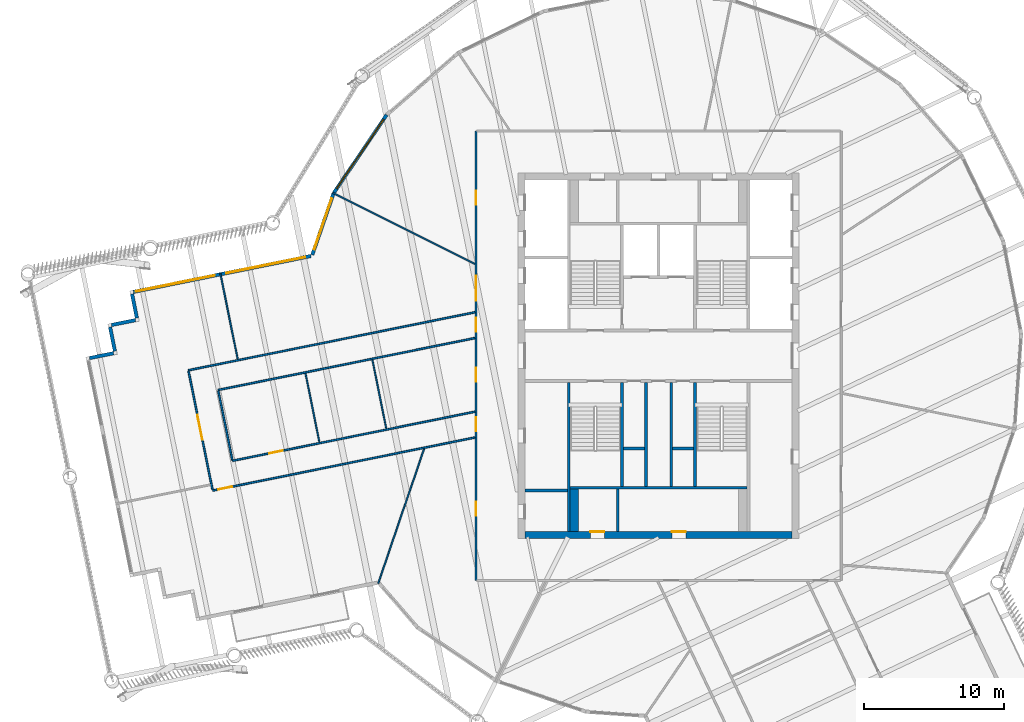
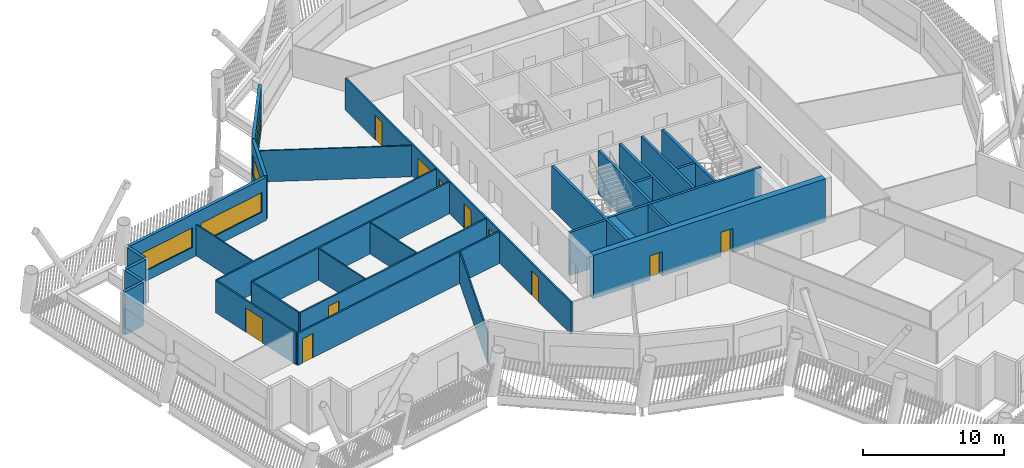
# One storey, part 4 of 21: 31 walls, 11 doors, 4 windows, 15 openings.
"""IFC4 building model written with IfcOpenShell, lengths in metres."""

from ifc_helpers import new_model, si_unit, direction, frame, frame_2d, origin, place, context, subcontext, project, spatial, rectangle, extrude, material, layer, layer_set, type_object, element, fill, save


model = new_model("IFC4")

# Units and contexts
model_context = context("Model", 3, precision=1e-05, world=origin(), true_north=direction((0.0, 1.0)))
body_context = subcontext(model_context, "Body", "Model", "MODEL_VIEW")
ifc_project = project(units=[si_unit("LENGTHUNIT", "METRE"), si_unit("AREAUNIT", "SQUARE_METRE"), si_unit("VOLUMEUNIT", "CUBIC_METRE"), si_unit("PLANEANGLEUNIT", "RADIAN"), si_unit("MASSUNIT", "GRAM", prefix="KILO")], contexts=[model_context])

# Site, building, storey
site_placement = place(None, origin())
site = spatial("IfcSite", under=ifc_project, at=site_placement, CompositionType="ELEMENT")
building_placement = place(site_placement, origin())
building = spatial("IfcBuilding", under=site, at=building_placement, Name="Tarsis Ring Headquarters", CompositionType="ELEMENT")
storey_placement = place(building_placement, frame((0.0, 0.0, 331.39990234375)))
storey = spatial("IfcBuildingStorey", under=building, at=storey_placement, Name="L78", CompositionType="ELEMENT", Elevation=331.39990234375)

# Walls
ifc_material_1 = material(Name="Blockwork", Category="masonry")
ifc_layer_1 = layer(ifc_material_1, 0.199951171875)
ifc_layer_set_1 = layer_set([ifc_layer_1], Name="Core blockwork wall 200")
wall_type_1 = type_object("IfcWallType", Name="Core blockwork wall 200", PredefinedType="PARTITIONING", material=ifc_layer_set_1)
for number, where, z_axis, x_axis, name in (
    (1, (-9.5, -9.60009765625, 0.0), (0.0, 0.0, 1.0), (1.0, 0.0, 0.0), "Core partition WD1"),
    (2, (-2.89990234375, -12.5, 0.0), (0.0, 0.0, 1.0), (0.0, 1.0, 0.0), "Core partition SD1"),
):
    element("IfcWall", number, at=place(storey_placement, frame(where, z_axis=z_axis, x_axis=x_axis)), inside=storey, type_object=wall_type_1, Name=name, PredefinedType="PARTITIONING", context=body_context, shape_type="SweptSolid", body=[
        extrude(rectangle(XDim=3.0, YDim=0.199951171875, at=frame_2d((1.5, 0.0))), origin(), (0.0, 0.0, 1.0), 3.739990234375),
    ])
for number, where, z_axis, x_axis, name in (
    (3, (-2.5, -6.60009765625, 0.0), (0.0, 0.0, 1.0), (1.0, 0.0, 0.0), "Core partition SP1"),
    (4, (1.0, -6.60009765625, 0.0), (0.0, 0.0, 1.0), (1.0, 0.0, 0.0), "Core partition SP3"),
):
    element("IfcWall", number, at=place(storey_placement, frame(where, z_axis=z_axis, x_axis=x_axis)), inside=storey, type_object=wall_type_1, Name=name, PredefinedType="PARTITIONING", context=body_context, shape_type="SweptSolid", body=[
        extrude(rectangle(XDim=1.5, YDim=0.199951171875, at=frame_2d((0.75, 0.0))), origin(), (0.0, 0.0, 1.0), 3.739990234375),
    ])
for number, where, z_axis, x_axis, name in (
    (5, (-0.89990234375, -9.300048828125, 0.0), (0.0, 0.0, 1.0), (0.0, 1.0, 0.0), "Core partition SV1"),
    (6, (0.89990234375, -9.300048828125, 0.0), (0.0, 0.0, 1.0), (0.0, 1.0, 0.0), "Core partition SV2"),
):
    element("IfcWall", number, at=place(storey_placement, frame(where, z_axis=z_axis, x_axis=x_axis)), inside=storey, type_object=wall_type_1, Name=name, PredefinedType="PARTITIONING", context=body_context, shape_type="SweptSolid", body=[
        extrude(rectangle(XDim=7.400146484375, YDim=0.199951171875, at=frame_2d((3.7001953125, 0.0))), origin(), (0.0, 0.0, 1.0), 3.739990234375),
    ])

# Wall, openings, doors
ifc_material_2 = material(Name="Concrete C50/60", Category="concrete")
ifc_layer_2 = layer(ifc_material_2, 0.5)
ifc_layer_set_2 = layer_set([ifc_layer_2], Name="Core wall 500 C50/60")
wall_type_2 = type_object("IfcWallType", Name="Core wall 500 C50/60", PredefinedType="SHEAR", material=ifc_layer_set_2)
wall_1_placement = place(storey_placement, frame((-9.5, -12.75, 0.0), z_axis=(0.0, 0.0, 1.0), x_axis=(1.0, 0.0, 0.0)))
wall_1 = element("IfcWall", 7, at=wall_1_placement, inside=storey, type_object=wall_type_2, Name="Core wall OS", PredefinedType="SHEAR", context=body_context, shape_type="SweptSolid", body=[
    extrude(rectangle(XDim=19.0, YDim=0.5, at=frame_2d((9.5, 0.0))), origin(), (0.0, 0.0, 1.0), 3.739990234375),
])
opening_1_placement = place(wall_1_placement, frame((4.64990234375, 0.0, 0.0)))
opening_1 = element("IfcOpeningElement", 8, at=opening_1_placement, cuts=wall_1, Name="Opening L78-C17", PredefinedType="OPENING", context=body_context, shape_type="SweptSolid", body=[
    extrude(rectangle(XDim=1.0, YDim=2.10009765625, at=frame_2d((0.5, 1.050048828125))), frame((0.0, 0.260009765625, 0.0), z_axis=(0.0, -1.0, 0.0), x_axis=(1.0, 0.0, 0.0)), (0.0, 0.0, 1.0), 0.52001953125),
])
opening_2_placement = place(wall_1_placement, frame((10.449951171875, 0.0, 0.0)))
opening_2 = element("IfcOpeningElement", 9, at=opening_2_placement, cuts=wall_1, Name="Opening L78-C18", PredefinedType="OPENING", context=body_context, shape_type="SweptSolid", body=[
    extrude(rectangle(XDim=1.0, YDim=2.10009765625, at=frame_2d((0.5, 1.050048828125))), frame((0.0, 0.260009765625, 0.0), z_axis=(0.0, -1.0, 0.0), x_axis=(1.0, 0.0, 0.0)), (0.0, 0.0, 1.0), 0.52001953125),
])
ifc_material_3 = material(Name="Steel S355", Category="steel")
door_type_1 = type_object("IfcDoorType", Name="Core room door 1000x2100", OperationType="SINGLE_SWING_LEFT", PredefinedType="DOOR", material=ifc_material_3)
door_1_placement = place(opening_1_placement, origin())
door_1 = element("IfcDoor", 10, at=door_1_placement, inside=storey, type_object=door_type_1, Name="Core room door L78", OperationType="SINGLE_SWING_LEFT", OverallHeight=2.10009765625, OverallWidth=1.0, PredefinedType="DOOR", context=body_context, shape_type="SweptSolid", body=[
    extrude(rectangle(XDim=1.0, YDim=2.10009765625, at=frame_2d((0.5, 1.050048828125))), frame((0.0, 0.25, 0.0), z_axis=(0.0, -1.0, 0.0), x_axis=(1.0, 0.0, 0.0)), (0.0, 0.0, 1.0), 0.050048828125),
])
fill(opening_1, door_1)
door_2_placement = place(opening_2_placement, origin())
door_2 = element("IfcDoor", 11, at=door_2_placement, inside=storey, type_object=door_type_1, Name="Core room door L78", OperationType="SINGLE_SWING_LEFT", OverallHeight=2.10009765625, OverallWidth=1.0, PredefinedType="DOOR", context=body_context, shape_type="SweptSolid", body=[
    extrude(rectangle(XDim=1.0, YDim=2.10009765625, at=frame_2d((0.5, 1.050048828125))), frame((0.0, 0.25, 0.0), z_axis=(0.0, -1.0, 0.0), x_axis=(1.0, 0.0, 0.0)), (0.0, 0.0, 1.0), 0.050048828125),
])
fill(opening_2, door_2)

# Walls
ifc_material_4 = material(Name="Gypsum board on steel studs", Category="steel")
ifc_layer_3 = layer(ifc_material_4, 0.10009765625)
ifc_layer_set_3 = layer_set([ifc_layer_3], Name="FL partition 100 unrated")
wall_type_3 = type_object("IfcWallType", Name="FL partition 100 unrated", PredefinedType="PARTITIONING", material=ifc_layer_set_3)
wall_2_placement = place(storey_placement, frame((-23.20947265625, 11.602294921875, 0.0), z_axis=(0.0, 0.0, 1.0), x_axis=(0.894461683583, -0.447144603681, 0.0)))
element("IfcWall", 12, at=wall_2_placement, inside=storey, type_object=wall_type_3, Name="Partition PW3", PredefinedType="PARTITIONING", context=body_context, shape_type="SweptSolid", body=[
    extrude(rectangle(XDim=11.323974609375, YDim=0.10009765625, at=frame_2d((5.662109375, 0.0))), origin(), (0.0, 0.0, 1.0), 2.7001953125),
])
wall_3_placement = place(storey_placement, frame((-19.96142578125, -16.2060546875, 0.0), z_axis=(0.0, 0.0, 1.0), x_axis=(0.322442868877, 0.946588926784, 0.0)))
element("IfcWall", 13, at=wall_3_placement, inside=storey, type_object=wall_type_3, Name="Partition PW3", PredefinedType="PARTITIONING", context=body_context, shape_type="SweptSolid", body=[
    extrude(rectangle(XDim=10.11181640625, YDim=0.10009765625, at=frame_2d((5.055908203125, 0.0))), origin(), (0.0, 0.0, 1.0), 2.7001953125),
])
wall_4_placement = place(storey_placement, frame((-31.205810546875, 5.87744140625, 0.0), z_axis=(0.0, 0.0, 1.0), x_axis=(0.198354146844, -0.980130416031, 0.0)))
element("IfcWall", 14, at=wall_4_placement, inside=storey, type_object=wall_type_3, Name="Partition PW3", PredefinedType="PARTITIONING", context=body_context, shape_type="SweptSolid", body=[
    extrude(rectangle(XDim=6.250244140625, YDim=0.10009765625, at=frame_2d((3.125, 0.0))), origin(), (0.0, 0.0, 1.0), 2.7001953125),
])
wall_5_placement = place(storey_placement, frame((-25.141357421875, -1.25146484375, 0.0), z_axis=(0.0, 0.0, 1.0), x_axis=(0.198341079631, -0.980133060421, 0.0)))
element("IfcWall", 15, at=wall_5_placement, inside=storey, type_object=wall_type_3, Name="Partition PW3", PredefinedType="PARTITIONING", context=body_context, shape_type="SweptSolid", body=[
    extrude(rectangle(XDim=5.0, YDim=0.10009765625, at=frame_2d((2.5, 0.0))), origin(), (0.0, 0.0, 1.0), 2.7001953125),
])
wall_6_placement = place(storey_placement, frame((-20.377685546875, -0.28759765625, 0.0), z_axis=(0.0, 0.0, 1.0), x_axis=(0.198350572354, -0.980131139413, 0.0)))
element("IfcWall", 16, at=wall_6_placement, inside=storey, type_object=wall_type_3, Name="Partition PW3", PredefinedType="PARTITIONING", context=body_context, shape_type="SweptSolid", body=[
    extrude(rectangle(XDim=4.999755859375, YDim=0.10009765625, at=frame_2d((2.5, 0.0))), origin(), (0.0, 0.0, 1.0), 2.7001953125),
])

# Wall, openings, doors
ifc_layer_4 = layer(ifc_material_4, 0.125)
ifc_layer_set_4 = layer_set([ifc_layer_4], Name="FL partition 125 EI 60 H2770")
wall_type_4 = type_object("IfcWallType", Name="FL partition 125 EI 60 H2770", PredefinedType="PARTITIONING", material=ifc_layer_set_4)
wall_7_placement = place(storey_placement, frame((-13.0, -16.0, 0.0), z_axis=(0.0, 0.0, 1.0), x_axis=(0.0, 1.0, 0.0)))
wall_7 = element("IfcWall", 17, at=wall_7_placement, inside=storey, type_object=wall_type_4, Name="Partition PW1", PredefinedType="PARTITIONING", context=body_context, shape_type="SweptSolid", body=[
    extrude(rectangle(XDim=32.0, YDim=0.125, at=frame_2d((16.0, 0.0))), origin(), (0.0, 0.0, 1.0), 2.77001953125),
])
opening_3_placement = place(wall_7_placement, frame((19.906005859375, 0.0, 0.0)))
opening_3 = element("IfcOpeningElement", 18, at=opening_3_placement, cuts=wall_7, Name="Opening D78.03", PredefinedType="OPENING", context=body_context, shape_type="SweptSolid", body=[
    extrude(rectangle(XDim=1.800048828125, YDim=2.10009765625, at=frame_2d((0.89990234375, 1.050048828125))), frame((0.0, 0.072509765625, 0.0), z_axis=(0.0, -1.0, 0.0), x_axis=(1.0, 0.0, 0.0)), (0.0, 0.0, 1.0), 0.14501953125),
])
opening_4_placement = place(wall_7_placement, frame((26.749267578125, 0.0, 0.0)))
opening_4 = element("IfcOpeningElement", 19, at=opening_4_placement, cuts=wall_7, Name="Opening D78.04", PredefinedType="OPENING", context=body_context, shape_type="SweptSolid", body=[
    extrude(rectangle(XDim=1.0, YDim=2.10009765625, at=frame_2d((0.5, 1.050048828125))), frame((0.0, 0.072509765625, 0.0), z_axis=(0.0, -1.0, 0.0), x_axis=(1.0, 0.0, 0.0)), (0.0, 0.0, 1.0), 0.14501953125),
])
opening_5_placement = place(wall_7_placement, frame((4.59814453125, 0.0, 0.0)))
opening_5 = element("IfcOpeningElement", 20, at=opening_5_placement, cuts=wall_7, Name="Opening D78.12", PredefinedType="OPENING", context=body_context, shape_type="SweptSolid", body=[
    extrude(rectangle(XDim=1.0, YDim=2.10009765625, at=frame_2d((0.5, 1.050048828125))), frame((0.0, 0.072509765625, 0.0), z_axis=(0.0, -1.0, 0.0), x_axis=(1.0, 0.0, 0.0)), (0.0, 0.0, 1.0), 0.14501953125),
])
opening_6_placement = place(wall_7_placement, frame((14.15478515625, 0.0, 0.0)))
opening_6 = element("IfcOpeningElement", 21, at=opening_6_placement, cuts=wall_7, Name="Opening D78.13", PredefinedType="OPENING", context=body_context, shape_type="SweptSolid", body=[
    extrude(rectangle(XDim=1.0, YDim=2.10009765625, at=frame_2d((0.5, 1.050048828125))), frame((0.0, 0.072509765625, 0.0), z_axis=(0.0, -1.0, 0.0), x_axis=(1.0, 0.0, 0.0)), (0.0, 0.0, 1.0), 0.14501953125),
])
opening_7_placement = place(wall_7_placement, frame((10.614501953125, 0.0, 0.0)))
opening_7 = element("IfcOpeningElement", 22, at=opening_7_placement, cuts=wall_7, Name="Opening D78.19", PredefinedType="OPENING", context=body_context, shape_type="SweptSolid", body=[
    extrude(rectangle(XDim=1.0, YDim=2.10009765625, at=frame_2d((0.5, 1.050048828125))), frame((0.0, 0.072509765625, 0.0), z_axis=(0.0, -1.0, 0.0), x_axis=(1.0, 0.0, 0.0)), (0.0, 0.0, 1.0), 0.14501953125),
])
opening_8_placement = place(wall_7_placement, frame((17.6953125, 0.0, 0.0)))
opening_8 = element("IfcOpeningElement", 23, at=opening_8_placement, cuts=wall_7, Name="Opening D78.20", PredefinedType="OPENING", context=body_context, shape_type="SweptSolid", body=[
    extrude(rectangle(XDim=1.0, YDim=2.10009765625, at=frame_2d((0.5, 1.050048828125))), frame((0.0, 0.072509765625, 0.0), z_axis=(0.0, -1.0, 0.0), x_axis=(1.0, 0.0, 0.0)), (0.0, 0.0, 1.0), 0.14501953125),
])
ifc_material_5 = material(Name="Fire-rated timber door leaf in steel frame", Category="steel")
door_type_2 = type_object("IfcDoorType", Name="FL door FD60-1000", OperationType="NOTDEFINED", PredefinedType="DOOR", material=ifc_material_5)
door_3_placement = place(opening_4_placement, origin())
door_3 = element("IfcDoor", 24, at=door_3_placement, inside=storey, type_object=door_type_2, Name="Door D78.04", OperationType="SINGLE_SWING_RIGHT", OverallHeight=2.10009765625, OverallWidth=1.0, PredefinedType="DOOR", context=body_context, shape_type="SweptSolid", body=[
    extrude(rectangle(XDim=1.0, YDim=2.10009765625, at=frame_2d((0.5, 1.050048828125))), frame((0.0, 0.02490234375, 0.0), z_axis=(0.0, -1.0, 0.0), x_axis=(1.0, 0.0, 0.0)), (0.0, 0.0, 1.0), 0.050048828125),
])
fill(opening_4, door_3)
door_4_placement = place(opening_5_placement, origin())
door_4 = element("IfcDoor", 25, at=door_4_placement, inside=storey, type_object=door_type_2, Name="Door D78.12", OperationType="SINGLE_SWING_RIGHT", OverallHeight=2.10009765625, OverallWidth=1.0, PredefinedType="DOOR", context=body_context, shape_type="SweptSolid", body=[
    extrude(rectangle(XDim=1.0, YDim=2.10009765625, at=frame_2d((0.5, 1.050048828125))), frame((0.0, 0.02490234375, 0.0), z_axis=(0.0, -1.0, 0.0), x_axis=(1.0, 0.0, 0.0)), (0.0, 0.0, 1.0), 0.050048828125),
])
fill(opening_5, door_4)
door_5_placement = place(opening_6_placement, origin())
door_5 = element("IfcDoor", 26, at=door_5_placement, inside=storey, type_object=door_type_2, Name="Door D78.13", OperationType="SINGLE_SWING_LEFT", OverallHeight=2.10009765625, OverallWidth=1.0, PredefinedType="DOOR", context=body_context, shape_type="SweptSolid", body=[
    extrude(rectangle(XDim=1.0, YDim=2.10009765625, at=frame_2d((0.5, 1.050048828125))), frame((0.0, 0.02490234375, 0.0), z_axis=(0.0, -1.0, 0.0), x_axis=(1.0, 0.0, 0.0)), (0.0, 0.0, 1.0), 0.050048828125),
])
fill(opening_6, door_5)
door_6_placement = place(opening_7_placement, origin())
door_6 = element("IfcDoor", 27, at=door_6_placement, inside=storey, type_object=door_type_2, Name="Door D78.19", OperationType="SINGLE_SWING_LEFT", OverallHeight=2.10009765625, OverallWidth=1.0, PredefinedType="DOOR", context=body_context, shape_type="SweptSolid", body=[
    extrude(rectangle(XDim=1.0, YDim=2.10009765625, at=frame_2d((0.5, 1.050048828125))), frame((0.0, 0.02490234375, 0.0), z_axis=(0.0, -1.0, 0.0), x_axis=(1.0, 0.0, 0.0)), (0.0, 0.0, 1.0), 0.050048828125),
])
fill(opening_7, door_6)
door_7_placement = place(opening_8_placement, origin())
door_7 = element("IfcDoor", 28, at=door_7_placement, inside=storey, type_object=door_type_2, Name="Door D78.20", OperationType="SINGLE_SWING_RIGHT", OverallHeight=2.10009765625, OverallWidth=1.0, PredefinedType="DOOR", context=body_context, shape_type="SweptSolid", body=[
    extrude(rectangle(XDim=1.0, YDim=2.10009765625, at=frame_2d((0.5, 1.050048828125))), frame((0.0, 0.02490234375, 0.0), z_axis=(0.0, -1.0, 0.0), x_axis=(1.0, 0.0, 0.0)), (0.0, 0.0, 1.0), 0.050048828125),
])
fill(opening_8, door_7)
door_type_3 = type_object("IfcDoorType", Name="FL door FD60-1800", OperationType="DOUBLE_DOOR_SINGLE_SWING", PredefinedType="DOOR", material=ifc_material_5)
door_8_placement = place(opening_3_placement, origin())
door_8 = element("IfcDoor", 29, at=door_8_placement, inside=storey, type_object=door_type_3, Name="Door D78.03", OperationType="DOUBLE_DOOR_SINGLE_SWING", OverallHeight=2.10009765625, OverallWidth=1.800048828125, PredefinedType="DOOR", context=body_context, shape_type="SweptSolid", body=[
    extrude(rectangle(XDim=1.800048828125, YDim=2.10009765625, at=frame_2d((0.89990234375, 1.050048828125))), frame((0.0, 0.02490234375, 0.0), z_axis=(0.0, -1.0, 0.0), x_axis=(1.0, 0.0, 0.0)), (0.0, 0.0, 1.0), 0.050048828125),
])
fill(opening_3, door_8)

# Wall
wall_8_placement = place(storey_placement, frame((-33.480712890625, -1.031005859375, 0.0), z_axis=(0.0, 0.0, 1.0), x_axis=(0.980133129563, 0.198340737957, 0.0)))
element("IfcWall", 30, at=wall_8_placement, inside=storey, type_object=wall_type_4, Name="Partition PW1", PredefinedType="PARTITIONING", context=body_context, shape_type="SweptSolid", body=[
    extrude(rectangle(XDim=20.825927734375, YDim=0.125, at=frame_2d((10.4130859375, 0.0))), origin(), (0.0, 0.0, 1.0), 2.77001953125),
])

# Wall, opening, door
wall_9_placement = place(storey_placement, frame((-31.7470703125, -9.597412109375, 0.0), z_axis=(0.0, 0.0, 1.0), x_axis=(0.980133215261, 0.198340314464, 0.0)))
wall_9 = element("IfcWall", 31, at=wall_9_placement, inside=storey, type_object=wall_type_4, Name="Partition PW1", PredefinedType="PARTITIONING", context=body_context, shape_type="SweptSolid", body=[
    extrude(rectangle(XDim=19.05712890625, YDim=0.125, at=frame_2d((9.528564453125, 0.0))), origin(), (0.0, 0.0, 1.0), 2.77001953125),
])
opening_9_placement = place(wall_9_placement, frame((0.39990234375, 0.0, 0.0)))
opening_9 = element("IfcOpeningElement", 32, at=opening_9_placement, cuts=wall_9, Name="Opening D78.01", PredefinedType="OPENING", context=body_context, shape_type="SweptSolid", body=[
    extrude(rectangle(XDim=1.0, YDim=2.10009765625, at=frame_2d((0.5, 1.050048828125))), frame((0.0, 0.072509765625, 0.0), z_axis=(0.0, -1.0, 0.0), x_axis=(1.0, 0.0, 0.0)), (0.0, 0.0, 1.0), 0.14501953125),
])
door_9_placement = place(opening_9_placement, origin())
door_9 = element("IfcDoor", 33, at=door_9_placement, inside=storey, type_object=door_type_2, Name="Door D78.01", OperationType="SINGLE_SWING_LEFT", OverallHeight=2.10009765625, OverallWidth=1.0, PredefinedType="DOOR", context=body_context, shape_type="SweptSolid", body=[
    extrude(rectangle(XDim=1.0, YDim=2.10009765625, at=frame_2d((0.5, 1.050048828125))), frame((0.0, 0.02490234375, 0.0), z_axis=(0.0, -1.0, 0.0), x_axis=(1.0, 0.0, 0.0)), (0.0, 0.0, 1.0), 0.050048828125),
])
fill(opening_9, door_9)

# Wall
wall_10_placement = place(storey_placement, frame((-31.359375, -2.438232421875, 0.0), z_axis=(0.0, 0.0, 1.0), x_axis=(0.980134871948, 0.198332127481, 0.0)))
element("IfcWall", 34, at=wall_10_placement, inside=storey, type_object=wall_type_4, Name="Partition PW1", PredefinedType="PARTITIONING", context=body_context, shape_type="SweptSolid", body=[
    extrude(rectangle(XDim=18.661376953125, YDim=0.125, at=frame_2d((9.33056640625, 0.0))), origin(), (0.0, 0.0, 1.0), 2.77001953125),
])

# Wall, opening, door
wall_11_placement = place(storey_placement, frame((-30.33984375, -7.476318359375, 0.0), z_axis=(0.0, 0.0, 1.0), x_axis=(0.980132120885, 0.19834572244, 0.0)))
wall_11 = element("IfcWall", 35, at=wall_11_placement, inside=storey, type_object=wall_type_4, Name="Partition PW1", PredefinedType="PARTITIONING", context=body_context, shape_type="SweptSolid", body=[
    extrude(rectangle(XDim=17.621337890625, YDim=0.125, at=frame_2d((8.810546875, 0.0))), origin(), (0.0, 0.0, 1.0), 2.77001953125),
])
opening_10_placement = place(wall_11_placement, frame((2.662841796875, 0.0, 0.0)))
opening_10 = element("IfcOpeningElement", 36, at=opening_10_placement, cuts=wall_11, Name="Opening D78.14", PredefinedType="OPENING", context=body_context, shape_type="SweptSolid", body=[
    extrude(rectangle(XDim=1.0, YDim=2.10009765625, at=frame_2d((0.5, 1.050048828125))), frame((0.0, 0.072509765625, 0.0), z_axis=(0.0, -1.0, 0.0), x_axis=(1.0, 0.0, 0.0)), (0.0, 0.0, 1.0), 0.14501953125),
])
door_10_placement = place(opening_10_placement, origin())
door_10 = element("IfcDoor", 37, at=door_10_placement, inside=storey, type_object=door_type_2, Name="Door D78.14", OperationType="SINGLE_SWING_RIGHT", OverallHeight=2.10009765625, OverallWidth=1.0, PredefinedType="DOOR", context=body_context, shape_type="SweptSolid", body=[
    extrude(rectangle(XDim=1.0, YDim=2.10009765625, at=frame_2d((0.5, 1.050048828125))), frame((0.0, 0.02490234375, 0.0), z_axis=(0.0, -1.0, 0.0), x_axis=(1.0, 0.0, 0.0)), (0.0, 0.0, 1.0), 0.050048828125),
])
fill(opening_10, door_10)

wall_12_placement = place(storey_placement, frame((-33.46875, -1.08984375, 0.0), z_axis=(0.0, 0.0, 1.0), x_axis=(0.198343312096, -0.980132608654, 0.0)))
wall_12 = element("IfcWall", 38, at=wall_12_placement, inside=storey, type_object=wall_type_4, Name="Partition PW1", PredefinedType="PARTITIONING", context=body_context, shape_type="SweptSolid", body=[
    extrude(rectangle(XDim=8.619873046875, YDim=0.125, at=frame_2d((4.31005859375, 0.0))), origin(), (0.0, 0.0, 1.0), 2.77001953125),
])
opening_11_placement = place(wall_12_placement, frame((3.188232421875, 0.0, 0.0)))
opening_11 = element("IfcOpeningElement", 39, at=opening_11_placement, cuts=wall_12, Name="Opening D78.02", PredefinedType="OPENING", context=body_context, shape_type="SweptSolid", body=[
    extrude(rectangle(XDim=1.800048828125, YDim=2.10009765625, at=frame_2d((0.89990234375, 1.050048828125))), frame((0.0, 0.072509765625, 0.0), z_axis=(0.0, -1.0, 0.0), x_axis=(1.0, 0.0, 0.0)), (0.0, 0.0, 1.0), 0.14501953125),
])
door_11_placement = place(opening_11_placement, origin())
door_11 = element("IfcDoor", 40, at=door_11_placement, inside=storey, type_object=door_type_3, Name="Door D78.02", OperationType="DOUBLE_DOOR_SINGLE_SWING", OverallHeight=2.10009765625, OverallWidth=1.800048828125, PredefinedType="DOOR", context=body_context, shape_type="SweptSolid", body=[
    extrude(rectangle(XDim=1.800048828125, YDim=2.10009765625, at=frame_2d((0.89990234375, 1.050048828125))), frame((0.0, 0.02490234375, 0.0), z_axis=(0.0, -1.0, 0.0), x_axis=(1.0, 0.0, 0.0)), (0.0, 0.0, 1.0), 0.050048828125),
])
fill(opening_11, door_11)

# Wall
wall_13_placement = place(storey_placement, frame((-31.347412109375, -2.4970703125, 0.0), z_axis=(0.0, 0.0, 1.0), x_axis=(0.198322799684, -0.980136759399, 0.0)))
element("IfcWall", 41, at=wall_13_placement, inside=storey, type_object=wall_type_4, Name="Partition PW1", PredefinedType="PARTITIONING", context=body_context, shape_type="SweptSolid", body=[
    extrude(rectangle(XDim=5.02001953125, YDim=0.125, at=frame_2d((2.510009765625, 0.0))), origin(), (0.0, 0.0, 1.0), 2.77001953125),
])

# Wall, opening, window
ifc_material_6 = material(Name="Terracotta clad insulated panel wall", Category="masonry")
ifc_layer_5 = layer(ifc_material_6, 0.25)
ifc_layer_set_5 = layer_set([ifc_layer_5], Name="Facade wall terracotta panel 250")
wall_type_5 = type_object("IfcWallType", Name="Facade wall terracotta panel 250", PredefinedType="STANDARD", material=ifc_layer_set_5)
wall_14_placement = place(storey_placement, frame((-19.36962890625, 17.151123046875, 0.0), z_axis=(0.0, 0.0, 1.0), x_axis=(-0.560061614521, -0.828450956871, 0.0)))
wall_14 = element("IfcWall", 42, at=wall_14_placement, inside=storey, type_object=wall_type_5, Name="External wall L78-29", PredefinedType="STANDARD", context=body_context, shape_type="SweptSolid", body=[
    extrude(rectangle(XDim=6.721435546875, YDim=0.25, at=frame_2d((3.36083984375, 0.0))), origin(), (0.0, 0.0, 1.0), 3.739990234375),
])
opening_12_placement = place(wall_14_placement, frame((0.3857421875, 0.0, 0.89990234375)))
opening_12 = element("IfcOpeningElement", 43, at=opening_12_placement, cuts=wall_14, Name="Opening WN07", PredefinedType="OPENING", context=body_context, shape_type="SweptSolid", body=[
    extrude(rectangle(XDim=5.949951171875, YDim=1.699951171875, at=frame_2d((2.97509765625, 0.85009765625))), frame((0.0, 0.135009765625, 0.0), z_axis=(0.0, -1.0, 0.0), x_axis=(1.0, 0.0, 0.0)), (0.0, 0.0, 1.0), 0.27001953125),
])
ifc_material_7 = material(Name="Aluminium framed double glazing", Category="aluminium")
window_type_1 = type_object("IfcWindowType", Name="Facade window 5950 x 1700", PartitioningType="SINGLE_PANEL", PredefinedType="WINDOW", material=ifc_material_7)
window_1_placement = place(opening_12_placement, origin())
window_1 = element("IfcWindow", 44, at=window_1_placement, inside=storey, type_object=window_type_1, Name="Window L78-29.1", OverallHeight=1.699951171875, OverallWidth=5.949951171875, PartitioningType="SINGLE_PANEL", PredefinedType="WINDOW", context=body_context, shape_type="SweptSolid", body=[
    extrude(rectangle(XDim=5.949951171875, YDim=1.699951171875, at=frame_2d((2.97509765625, 0.85009765625))), frame((0.0, 0.030029296875, 0.0), z_axis=(0.0, -1.0, 0.0), x_axis=(1.0, 0.0, 0.0)), (0.0, 0.0, 1.0), 0.06005859375),
])
fill(opening_12, window_1)

wall_15_placement = place(storey_placement, frame((-23.148681640625, 11.553466796875, 0.0), z_axis=(0.0, 0.0, 1.0), x_axis=(-0.32658208548, -0.945168842823, 0.0)))
wall_15 = element("IfcWall", 45, at=wall_15_placement, inside=storey, type_object=wall_type_5, Name="External wall L78-30", PredefinedType="STANDARD", context=body_context, shape_type="SweptSolid", body=[
    extrude(rectangle(XDim=4.61767578125, YDim=0.25, at=frame_2d((2.308837890625, 0.0))), origin(), (0.0, 0.0, 1.0), 3.739990234375),
])
opening_13_placement = place(wall_15_placement, frame((0.367431640625, 0.0, 0.89990234375)))
opening_13 = element("IfcOpeningElement", 46, at=opening_13_placement, cuts=wall_15, Name="Opening WN02", PredefinedType="OPENING", context=body_context, shape_type="SweptSolid", body=[
    extrude(rectangle(XDim=3.85009765625, YDim=1.699951171875, at=frame_2d((1.925048828125, 0.85009765625))), frame((0.0, 0.135009765625, 0.0), z_axis=(0.0, -1.0, 0.0), x_axis=(1.0, 0.0, 0.0)), (0.0, 0.0, 1.0), 0.27001953125),
])
window_type_2 = type_object("IfcWindowType", Name="Facade window 3850 x 1700", PartitioningType="SINGLE_PANEL", PredefinedType="WINDOW", material=ifc_material_7)
window_2_placement = place(opening_13_placement, origin())
window_2 = element("IfcWindow", 47, at=window_2_placement, inside=storey, type_object=window_type_2, Name="Window L78-30.1", OverallHeight=1.699951171875, OverallWidth=3.85009765625, PartitioningType="SINGLE_PANEL", PredefinedType="WINDOW", context=body_context, shape_type="SweptSolid", body=[
    extrude(rectangle(XDim=3.85009765625, YDim=1.699951171875, at=frame_2d((1.925048828125, 0.85009765625))), frame((0.0, 0.030029296875, 0.0), z_axis=(0.0, -1.0, 0.0), x_axis=(1.0, 0.0, 0.0)), (0.0, 0.0, 1.0), 0.06005859375),
])
fill(opening_13, window_2)

# Wall, openings, windows
wall_16_placement = place(storey_placement, frame((-24.75, 7.107177734375, 0.0), z_axis=(0.0, 0.0, 1.0), x_axis=(-0.980133448035, -0.198339164167, 0.0)))
wall_16 = element("IfcWall", 48, at=wall_16_placement, inside=storey, type_object=wall_type_5, Name="External wall L78-31", PredefinedType="STANDARD", context=body_context, shape_type="SweptSolid", body=[
    extrude(rectangle(XDim=12.9013671875, YDim=0.25, at=frame_2d((6.45068359375, 0.0))), origin(), (0.0, 0.0, 1.0), 3.739990234375),
])
opening_14_placement = place(wall_16_placement, frame((0.412841796875, 0.0, 0.89990234375)))
opening_14 = element("IfcOpeningElement", 49, at=opening_14_placement, cuts=wall_16, Name="Opening WN06", PredefinedType="OPENING", context=body_context, shape_type="SweptSolid", body=[
    extrude(rectangle(XDim=5.75, YDim=1.699951171875, at=frame_2d((2.875, 0.85009765625))), frame((0.0, 0.135009765625, 0.0), z_axis=(0.0, -1.0, 0.0), x_axis=(1.0, 0.0, 0.0)), (0.0, 0.0, 1.0), 0.27001953125),
])
opening_15_placement = place(wall_16_placement, frame((6.988525390625, 0.0, 0.89990234375)))
opening_15 = element("IfcOpeningElement", 50, at=opening_15_placement, cuts=wall_16, Name="Opening WN06", PredefinedType="OPENING", context=body_context, shape_type="SweptSolid", body=[
    extrude(rectangle(XDim=5.75, YDim=1.699951171875, at=frame_2d((2.875, 0.85009765625))), frame((0.0, 0.135009765625, 0.0), z_axis=(0.0, -1.0, 0.0), x_axis=(1.0, 0.0, 0.0)), (0.0, 0.0, 1.0), 0.27001953125),
])
window_type_3 = type_object("IfcWindowType", Name="Facade window 5750 x 1700", PartitioningType="SINGLE_PANEL", PredefinedType="WINDOW", material=ifc_material_7)
window_3_placement = place(opening_14_placement, origin())
window_3 = element("IfcWindow", 51, at=window_3_placement, inside=storey, type_object=window_type_3, Name="Window L78-31.1", OverallHeight=1.699951171875, OverallWidth=5.75, PartitioningType="SINGLE_PANEL", PredefinedType="WINDOW", context=body_context, shape_type="SweptSolid", body=[
    extrude(rectangle(XDim=5.75, YDim=1.699951171875, at=frame_2d((2.875, 0.85009765625))), frame((0.0, 0.030029296875, 0.0), z_axis=(0.0, -1.0, 0.0), x_axis=(1.0, 0.0, 0.0)), (0.0, 0.0, 1.0), 0.06005859375),
])
fill(opening_14, window_3)
window_4_placement = place(opening_15_placement, origin())
window_4 = element("IfcWindow", 52, at=window_4_placement, inside=storey, type_object=window_type_3, Name="Window L78-31.2", OverallHeight=1.699951171875, OverallWidth=5.75, PartitioningType="SINGLE_PANEL", PredefinedType="WINDOW", context=body_context, shape_type="SweptSolid", body=[
    extrude(rectangle(XDim=5.75, YDim=1.699951171875, at=frame_2d((2.875, 0.85009765625))), frame((0.0, 0.030029296875, 0.0), z_axis=(0.0, -1.0, 0.0), x_axis=(1.0, 0.0, 0.0)), (0.0, 0.0, 1.0), 0.06005859375),
])
fill(opening_15, window_4)

# Walls
for number, where, z_axis, x_axis, name in (
    (53, (-37.49267578125, 4.401123046875, 0.0), (0.0, 0.0, 1.0), (0.198235063466, -0.980154508031, 0.0), "External wall L78-32"),
    (54, (-37.243408203125, 2.53857421875, 0.0), (0.0, 0.0, 1.0), (-0.980127393869, -0.198369079716, 0.0), "External wall L78-33"),
    (55, (-39.056396484375, 2.044189453125, 0.0), (0.0, 0.0, 1.0), (0.198369079716, -0.980127393869, 0.0), "External wall L78-34"),
    (56, (-38.806884765625, 0.181640625, 0.0), (0.0, 0.0, 1.0), (-0.980127393869, -0.198369079716, 0.0), "External wall L78-35"),
):
    element("IfcWall", number, at=place(storey_placement, frame(where, z_axis=z_axis, x_axis=x_axis)), inside=storey, type_object=wall_type_5, Name=name, PredefinedType="STANDARD", context=body_context, shape_type="SweptSolid", body=[
        extrude(rectangle(XDim=1.75, YDim=0.25, at=frame_2d((0.875, 0.0))), origin(), (0.0, 0.0, 1.0), 3.739990234375),
    ])
ifc_material_8 = material(Name="Concrete C32/40", Category="concrete")
ifc_layer_6 = layer(ifc_material_8, 0.60009765625)
ifc_layer_set_6 = layer_set([ifc_layer_6], Name="Shaft end wall 600 C32/40")
wall_type_6 = type_object("IfcWallType", Name="Shaft end wall 600 C32/40", PredefinedType="SOLIDWALL", material=ifc_layer_set_6)
wall_17_placement = place(storey_placement, frame((-6.0, -12.5, 0.0), z_axis=(0.0, 0.0, 1.0), x_axis=(0.0, 1.0, 0.0)))
element("IfcWall", 57, at=wall_17_placement, inside=storey, type_object=wall_type_6, Name="Core shaft wall SNE1", PredefinedType="SOLIDWALL", context=body_context, shape_type="SweptSolid", body=[
    extrude(rectangle(XDim=3.0, YDim=0.60009765625, at=frame_2d((1.5, 0.0))), origin(), (0.0, 0.0, 1.0), 3.739990234375),
])
ifc_layer_7 = layer(ifc_material_8, 0.199951171875)
ifc_layer_set_7 = layer_set([ifc_layer_7], Name="Shaft wall 200 C32/40")
wall_type_7 = type_object("IfcWallType", Name="Shaft wall 200 C32/40", PredefinedType="SOLIDWALL", material=ifc_layer_set_7)
wall_18_placement = place(storey_placement, frame((-6.39990234375, -12.5, 0.0), z_axis=(0.0, 0.0, 1.0), x_axis=(0.0, 1.0, 0.0)))
element("IfcWall", 58, at=wall_18_placement, inside=storey, type_object=wall_type_7, Name="Core shaft wall WB1", PredefinedType="SOLIDWALL", context=body_context, shape_type="SweptSolid", body=[
    extrude(rectangle(XDim=10.60009765625, YDim=0.199951171875, at=frame_2d((5.300048828125, 0.0))), origin(), (0.0, 0.0, 1.0), 3.739990234375),
])
wall_19_placement = place(storey_placement, frame((-6.300048828125, -9.39990234375, 0.0), z_axis=(0.0, 0.0, 1.0), x_axis=(1.0, 0.0, 0.0)))
element("IfcWall", 59, at=wall_19_placement, inside=storey, type_object=wall_type_7, Name="Core shaft wall SB", PredefinedType="SOLIDWALL", context=body_context, shape_type="SweptSolid", body=[
    extrude(rectangle(XDim=12.60009765625, YDim=0.199951171875, at=frame_2d((6.300048828125, 0.0))), origin(), (0.0, 0.0, 1.0), 3.739990234375),
])
for number, where, z_axis, x_axis, name in (
    (60, (-2.60009765625, -9.300048828125, 0.0), (0.0, 0.0, 1.0), (0.0, 1.0, 0.0), "Core shaft wall SW3"),
    (61, (2.60009765625, -9.300048828125, 0.0), (0.0, 0.0, 1.0), (0.0, 1.0, 0.0), "Core shaft wall SW4"),
):
    element("IfcWall", number, at=place(storey_placement, frame(where, z_axis=z_axis, x_axis=x_axis)), inside=storey, type_object=wall_type_7, Name=name, PredefinedType="SOLIDWALL", context=body_context, shape_type="SweptSolid", body=[
        extrude(rectangle(XDim=7.400146484375, YDim=0.199951171875, at=frame_2d((3.7001953125, 0.0))), origin(), (0.0, 0.0, 1.0), 3.739990234375),
    ])

save(model, "model.ifc")
